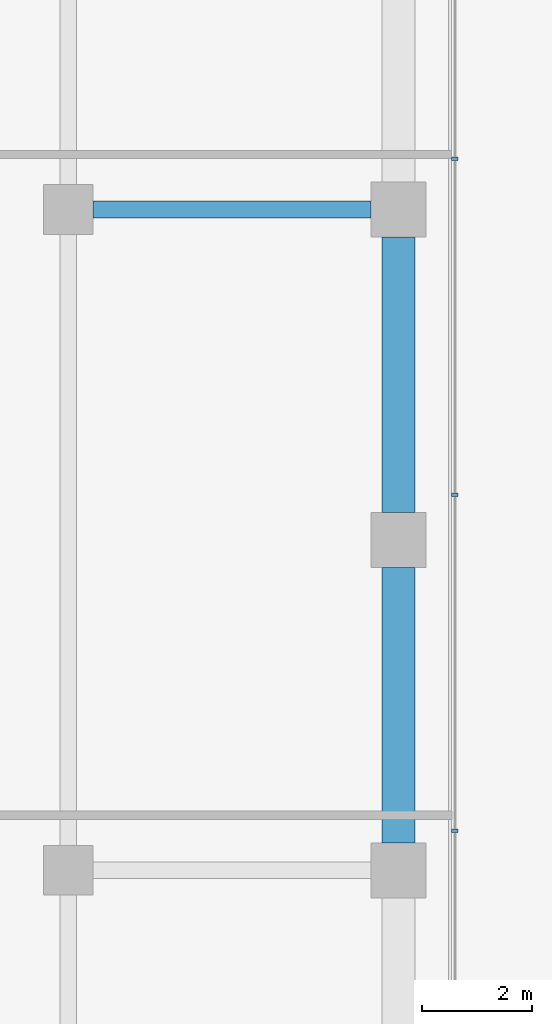
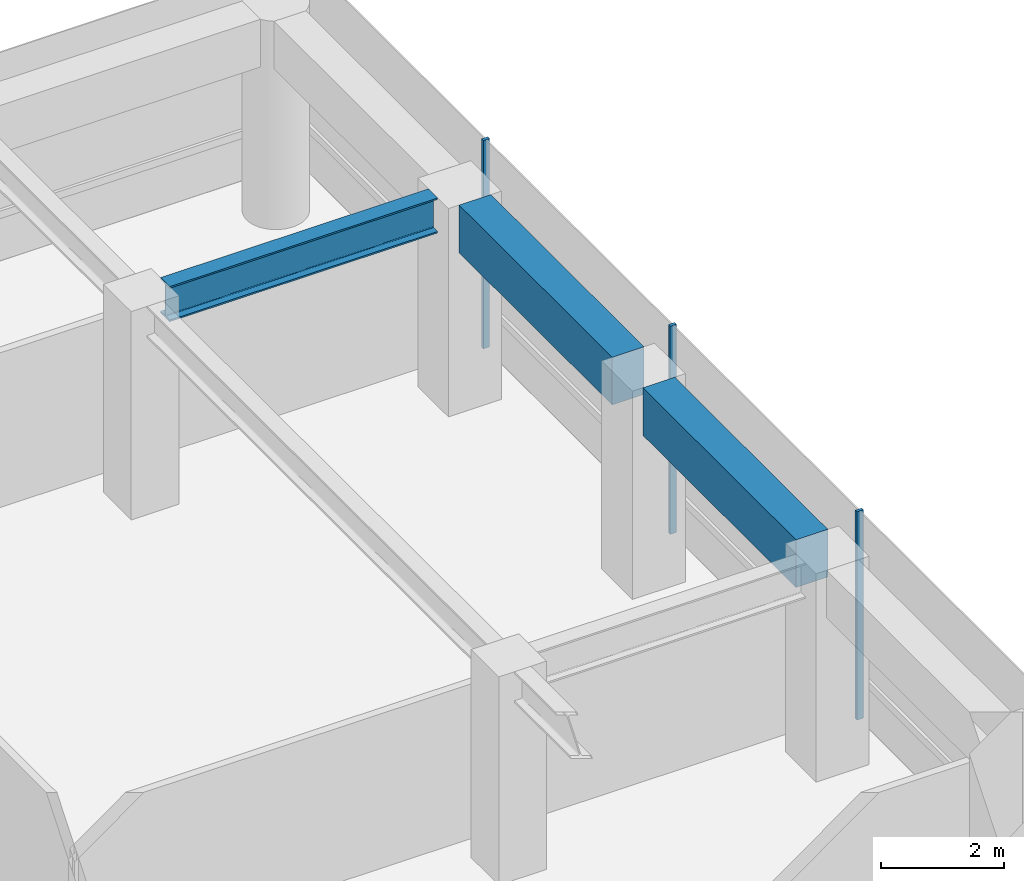
# One storey, part 17 of 24: 3 beams, 3 members, 1 element without a shape of its own.
"""IFC4 building model written with IfcOpenShell, lengths in metres."""

from ifc_helpers import new_model, si_unit, direction, frame, origin, origin_2d, place, context, subcontext, project, spatial, rectangle, i_section, extrude, material, layer, layer_set, material_profile, profile_set, type_object, element, aggregate, save


model = new_model("IFC4")

# Units and contexts
model_context = context("Model", 3, precision=1e-05, world=origin(), true_north=direction((0.0, 1.0)))
body_context = subcontext(model_context, "Body", "Model", "MODEL_VIEW")
ifc_project = project(units=[si_unit("LENGTHUNIT", "METRE"), si_unit("AREAUNIT", "SQUARE_METRE"), si_unit("VOLUMEUNIT", "CUBIC_METRE"), si_unit("PLANEANGLEUNIT", "RADIAN"), si_unit("MASSUNIT", "GRAM", prefix="KILO")], contexts=[model_context])

# Site, building, storey
site_placement = place(None, origin())
site = spatial("IfcSite", under=ifc_project, at=site_placement, CompositionType="ELEMENT")
building_placement = place(site_placement, origin())
building = spatial("IfcBuilding", under=site, at=building_placement, Name="Welwitschia Terrace Campus", CompositionType="ELEMENT")
storey_placement = place(building_placement, frame((0.0, 0.0, 20.0)))
storey = spatial("IfcBuildingStorey", under=building, at=storey_placement, Name="L04", CompositionType="ELEMENT", Elevation=20.0)

# Curtain wall, members
ifc_material_1 = material(Name="Bronze anodised aluminium", Category="aluminium")
ifc_layer = layer(ifc_material_1, 0.1201171875)
ifc_layer_set = layer_set([ifc_layer], Name="Bronze anodised aluminium")
curtain_wall_type = type_object("IfcCurtainWallType", Name="Curtain wall CW2 tower 6000", PredefinedType="NOTDEFINED", material=ifc_layer_set)
curtain_wall_placement = place(storey_placement, origin())
curtain_wall = element("IfcCurtainWall", 1, at=curtain_wall_placement, inside=storey, type_object=curtain_wall_type, Name="CW L04.7.0", PredefinedType="NOTDEFINED")
ifc_material_2 = material(Name="Bronze anodised aluminium", Category="aluminium")
ifc_material_profile_1 = material_profile(ifc_material_2, rectangle(XDim=0.1201171875, YDim=0.06005859375, at=origin_2d()))
ifc_profile_set_1 = profile_set([ifc_material_profile_1], Name="Bronze anodised aluminium")
member_type = type_object("IfcMemberType", Name="Mullion 60x120", PredefinedType="MULLION", material=ifc_profile_set_1)
member_1_placement = place(storey_placement, frame((25.02001953125, 44.72119140625, 0.0), z_axis=(0.0, 0.0, 1.0), x_axis=(-1.0, 0.0, 0.0)))
member_1 = element("IfcMember", 2, at=member_1_placement, type_object=member_type, Name="Mullion L04.7.0.3", PredefinedType="MULLION", context=body_context, shape_type="SweptSolid", body=[
    extrude(rectangle(XDim=0.1201171875, YDim=0.06005859375, at=origin_2d()), origin(), (0.0, 0.0, 1.0), 4.14990234375),
])
member_2_placement = place(storey_placement, frame((25.02001953125, 50.82080078125, 0.0), z_axis=(0.0, 0.0, 1.0), x_axis=(-1.0, 0.0, 0.0)))
member_2 = element("IfcMember", 3, at=member_2_placement, type_object=member_type, Name="Mullion L04.7.0.4", PredefinedType="MULLION", context=body_context, shape_type="SweptSolid", body=[
    extrude(rectangle(XDim=0.1201171875, YDim=0.06005859375, at=origin_2d()), origin(), (0.0, 0.0, 1.0), 4.14990234375),
])
member_3_placement = place(storey_placement, frame((25.02001953125, 56.92041015625, 0.0), z_axis=(0.0, 0.0, 1.0), x_axis=(-1.0, 0.0, 0.0)))
member_3 = element("IfcMember", 4, at=member_3_placement, type_object=member_type, Name="Mullion L04.7.0.5", PredefinedType="MULLION", context=body_context, shape_type="SweptSolid", body=[
    extrude(rectangle(XDim=0.1201171875, YDim=0.06005859375, at=origin_2d()), origin(), (0.0, 0.0, 1.0), 4.14990234375),
])
aggregate(curtain_wall, [member_1, member_2, member_3])

# Beams
ifc_material_3 = material(Name="Steel S355", Category="steel")
ifc_material_profile_2 = material_profile(ifc_material_3, i_section(OverallWidth=0.300048828125, OverallDepth=0.699951171875, WebThickness=0.01708984375, FlangeThickness=0.031982421875, FilletRadius=0.027099609375, at=origin_2d()))
ifc_profile_set_2 = profile_set([ifc_material_profile_2], Name="Steel S355")
beam_type_1 = type_object("IfcBeamType", Name="Primary beam HE 700 B", PredefinedType="BEAM", material=ifc_profile_set_2)
beam_placement = place(storey_placement, frame((23.49951171875, 56.0, 3.800048828125), z_axis=(-1.0, 0.0, 0.0), x_axis=(0.0, -1.0, 0.0)))
element("IfcBeam", 5, at=beam_placement, inside=storey, type_object=beam_type_1, Name="Primary beam PB1", PredefinedType="BEAM", context=body_context, shape_type="SweptSolid", body=[
    extrude(i_section(OverallWidth=0.300048828125, OverallDepth=0.699951171875, WebThickness=0.01708984375, FlangeThickness=0.031982421875, FilletRadius=0.027099609375, at=origin_2d()), origin(), (0.0, 0.0, 1.0), 5.049072265625),
])
ifc_material_4 = material(Name="Concrete C60/75", Category="concrete")
ifc_material_profile_3 = material_profile(ifc_material_4, rectangle(XDim=0.60009765625, YDim=0.949951171875, at=origin_2d()))
ifc_profile_set_3 = profile_set([ifc_material_profile_3], Name="Concrete C60/75")
beam_type_2 = type_object("IfcBeamType", Name="Ring spandrel 600x950", PredefinedType="SPANDREL", material=ifc_profile_set_3)
for number, where, z_axis, x_axis, name in (
    (6, (24.0, 44.50048828125, 3.675048828125), (0.0, 1.0, 0.0), (-1.0, 0.0, 0.0), "Spandrel SP1"),
    (7, (24.0, 50.50048828125, 3.675048828125), (0.0, 1.0, 0.0), (-1.0, 0.0, 0.0), "Spandrel SP1"),
):
    element("IfcBeam", number, at=place(storey_placement, frame(where, z_axis=z_axis, x_axis=x_axis)), inside=storey, type_object=beam_type_2, Name=name, PredefinedType="SPANDREL", context=body_context, shape_type="SweptSolid", body=[
        extrude(rectangle(XDim=0.60009765625, YDim=0.949951171875, at=origin_2d()), origin(), (0.0, 0.0, 1.0), 4.9990234375),
    ])

save(model, "model.ifc")
